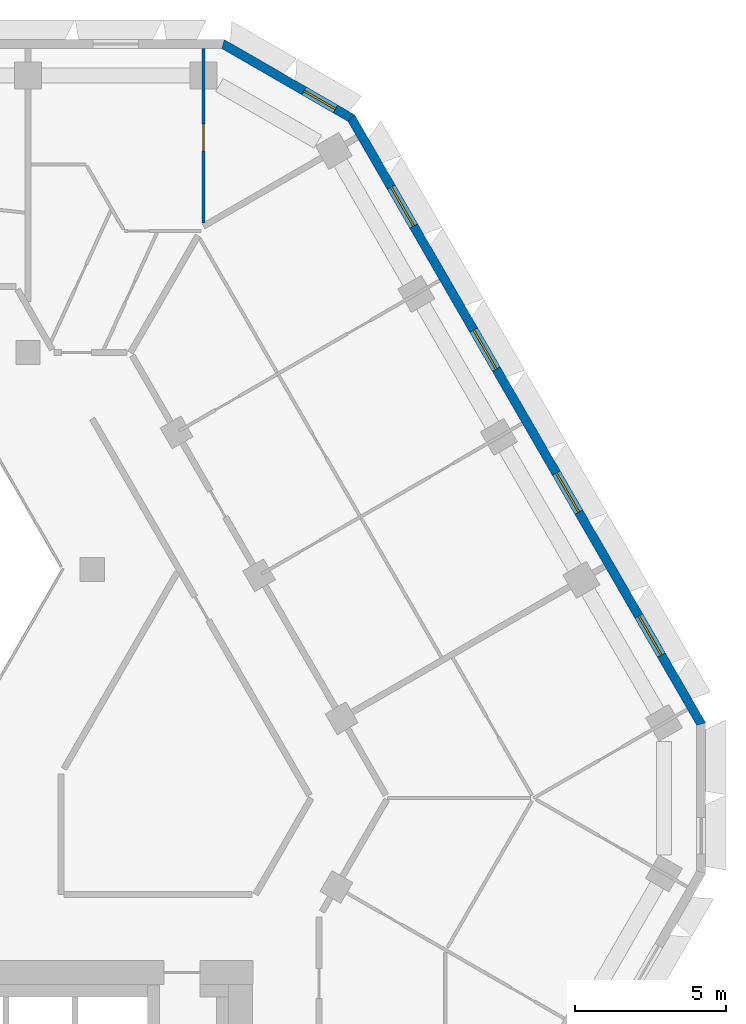
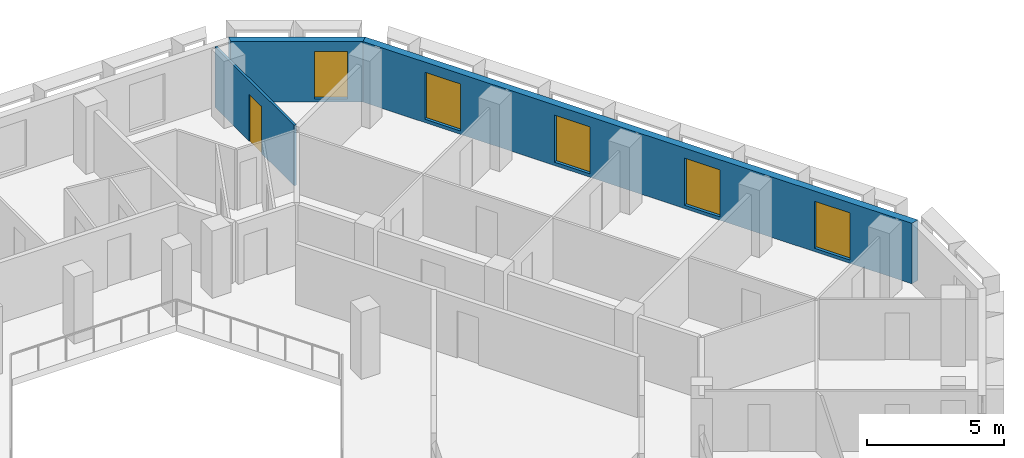
# One storey, part 9 of 15: 5 windows, 3 walls, 1 door, 6 openings.
"""IFC4 building model written with IfcOpenShell, lengths in metres."""

import ifcopenshell
import ifcopenshell.guid

model = None  # the IFC model being written
_history = None  # IfcOwnerHistory: only IFC2X3 demands one
_inside = {}  # id of a spatial element -> (the spatial element, [elements in it])
_under = {}  # id of a project, library or spatial element -> (it, [spatial elements below it])
_declared = {}  # id of a project -> (the project, [libraries it declares])
_typed = {}  # id of a type object -> (the type object, [elements of that type])
_made_of = {}  # id of a material, layer set ... -> (it, [elements and type objects made of it])


def new_model(schema):
    """Start an empty IFC model of exactly this schema.

    Asked for "IFC4X3", IfcOpenShell would pick the latest addendum, in which some entities
    have other attributes; the version numbers below select the first issue.
    IFC2X3 requires an IfcOwnerHistory on every rooted entity: one is made here for all.
    """
    global model, _history
    if schema == "IFC4X3":
        model = ifcopenshell.file(schema_version=(4, 3, 0, 0))
    else:
        model = ifcopenshell.file(schema=schema)
    _inside.clear()
    _under.clear()
    _declared.clear()
    _typed.clear()
    _made_of.clear()
    _history = None
    if model.schema == "IFC2X3":
        org = make("IfcOrganization", Name="unknown")
        user = make(
            "IfcPersonAndOrganization",
            ThePerson=make("IfcPerson", FamilyName="unknown"),
            TheOrganization=org,
        )
        app = make(
            "IfcApplication",
            ApplicationDeveloper=org,
            Version="unknown",
            ApplicationFullName="unknown",
            ApplicationIdentifier="unknown",
        )
        _history = make(
            "IfcOwnerHistory",
            OwningUser=user,
            OwningApplication=app,
            ChangeAction="ADDED",
            CreationDate=0,
        )
    return model


def make(cls, **values):
    """One entity of the class cls with the attributes given. An attribute that is None is left unset."""
    return model.create_entity(
        cls, **{name: value for name, value in values.items() if value is not None}
    )


def rooted(cls, **values):
    """An entity with a GlobalId (a new one), such as an element, a storey or a relation."""
    return make(cls, GlobalId=ifcopenshell.guid.new(), OwnerHistory=_history, **values)


def si_unit(unit_type, name, prefix=None):
    """IfcSIUnit, for example si_unit("LENGTHUNIT", "METRE", prefix="MILLI")."""
    return make("IfcSIUnit", UnitType=unit_type, Prefix=prefix, Name=name)


def assignment(units):
    """IfcUnitAssignment: the units of a project."""
    return None if units is None else make("IfcUnitAssignment", Units=units)


def point(xyz):
    """IfcCartesianPoint."""
    return None if xyz is None else make("IfcCartesianPoint", Coordinates=xyz)


def direction(xyz):
    """IfcDirection."""
    return None if xyz is None else make("IfcDirection", DirectionRatios=xyz)


def frame(location, z_axis=None, x_axis=None):
    """IfcAxis2Placement3D, a coordinate frame: its origin and axes. An axis left out is left unset."""
    return make(
        "IfcAxis2Placement3D",
        Location=point(location),
        Axis=direction(z_axis),
        RefDirection=direction(x_axis),
    )


def frame_2d(location, x_axis=None):
    """IfcAxis2Placement2D, a coordinate frame in the plane: its origin and x axis."""
    return make(
        "IfcAxis2Placement2D", Location=point(location), RefDirection=direction(x_axis)
    )


def origin():
    """The frame at (0, 0, 0) with its axes left unset."""
    return frame((0.0, 0.0, 0.0))


def place(relative_to, where):
    """IfcLocalPlacement: puts the frame where relative to a parent placement (None: the world)."""
    return make(
        "IfcLocalPlacement", PlacementRelTo=relative_to, RelativePlacement=where
    )


def context(
    kind, dimensions, precision=None, world=None, true_north=None, identifier=None
):
    """IfcGeometricRepresentationContext, for example the 3D "Model" context."""
    return make(
        "IfcGeometricRepresentationContext",
        ContextIdentifier=identifier,
        ContextType=kind,
        CoordinateSpaceDimension=dimensions,
        Precision=precision,
        WorldCoordinateSystem=world,
        TrueNorth=true_north,
    )


def subcontext(parent, identifier, kind, view, scale=None):
    """IfcGeometricRepresentationSubContext, for example "Body" below "Model"."""
    return make(
        "IfcGeometricRepresentationSubContext",
        ContextIdentifier=identifier,
        ContextType=kind,
        ParentContext=parent,
        TargetScale=scale,
        TargetView=view,
    )


def project(units=None, contexts=None):
    """IfcProject with its units and contexts."""
    return rooted(
        "IfcProject",
        Name="project",
        RepresentationContexts=contexts,
        UnitsInContext=assignment(units),
    )


def spatial(cls, under=None, at=None, **own):
    """A site, building, storey or space (cls), placed at a placement, below another one or the project."""
    s = rooted(cls, ObjectPlacement=at, **own)
    if under is not None:
        _under.setdefault(under.id(), (under, []))[1].append(s)
    return s


def polyline(points):
    """IfcPolyline through the points."""
    return make("IfcPolyline", Points=[point(p) for p in points])


def profile(cls, at=None, kind="AREA", **sizes):
    """A parametric profile (cls). Its sizes go by their IFC names, for example OverallWidth=200.0."""
    return make(cls, ProfileType=kind, Position=at, **sizes)


def rectangle(**sizes):
    """IfcRectangleProfileDef."""
    return profile("IfcRectangleProfileDef", **sizes)


def outline(outer, holes=None, kind="AREA"):
    """IfcArbitraryClosedProfileDef: a profile drawn as a closed curve; with holes, ...WithVoids."""
    if holes is None:
        return make("IfcArbitraryClosedProfileDef", ProfileType=kind, OuterCurve=outer)
    return make(
        "IfcArbitraryProfileDefWithVoids",
        ProfileType=kind,
        OuterCurve=outer,
        InnerCurves=holes,
    )


def extrude(swept, where, along, depth):
    """IfcExtrudedAreaSolid: the profile swept, set in the frame where, extruded along a direction by depth."""
    return make(
        "IfcExtrudedAreaSolid",
        SweptArea=swept,
        Position=where,
        ExtrudedDirection=direction(along),
        Depth=depth,
    )


def shape(context_of_items, identifier, shape_type, items):
    """IfcShapeRepresentation: the items that make up one representation, for example the "Body"."""
    return make(
        "IfcShapeRepresentation",
        ContextOfItems=context_of_items,
        RepresentationIdentifier=identifier,
        RepresentationType=shape_type,
        Items=items,
    )


def material(Name=None, Category=None):
    """IfcMaterial."""
    return make("IfcMaterial", Name=Name, Category=Category)


def layer(
    of_material, thickness, ventilated=None, Name=None, Category=None, Priority=None
):
    """IfcMaterialLayer: one layer of a wall or slab, of a material (None: an air gap)."""
    return make(
        "IfcMaterialLayer",
        Material=of_material,
        LayerThickness=thickness,
        IsVentilated=ventilated,
        Name=Name,
        Category=Category,
        Priority=Priority,
    )


def layer_set(layers, Name=None):
    """IfcMaterialLayerSet."""
    return make("IfcMaterialLayerSet", MaterialLayers=layers, LayerSetName=Name)


def made_of(thing, what):
    """Note that an element or type object is made of a material, layer set ...; save() writes the relation."""
    if what is not None:
        _made_of.setdefault(what.id(), (what, []))[1].append(thing)
    return thing


def type_object(cls, material=None, **own):
    """A type object (cls), such as IfcWallType, which elements share."""
    return made_of(rooted(cls, **own), material)


def element(
    cls,
    number,
    at=None,
    inside=None,
    cuts=None,
    type_object=None,
    material=None,
    context=None,
    identifier="Body",
    shape_type=None,
    held_by="IfcProductDefinitionShape",
    body=None,
    shapes=None,
    **own,
):
    """One element of the class cls, such as IfcWall. Its Tag is "e" and its number.

    at: its placement. inside: the storey or other place that contains it. cuts: it is an
    opening in that element (IfcRelVoidsElement). A single representation is given by context,
    identifier, shape_type and body (its items); several are given by shapes. held_by: the class
    of the entity that holds the representations. save() writes the other relations.
    """
    e = rooted(cls, Tag="e%d" % number, ObjectPlacement=at, **own)
    if body is not None:
        shapes = [shape(context, identifier, shape_type, body)]
    if shapes is not None:
        e.Representation = make(held_by, Representations=shapes)
    if inside is not None:
        _inside.setdefault(inside.id(), (inside, []))[1].append(e)
    if cuts is not None:
        rooted(
            "IfcRelVoidsElement", RelatingBuildingElement=cuts, RelatedOpeningElement=e
        )
    if type_object is not None:
        _typed.setdefault(type_object.id(), (type_object, []))[1].append(e)
    return made_of(e, material)


def fill(opening, filler):
    """IfcRelFillsElement: the door or window that sits in an opening."""
    return rooted(
        "IfcRelFillsElement",
        RelatingOpeningElement=opening,
        RelatedBuildingElement=filler,
    )


def aggregate(whole, parts):
    """IfcRelAggregates: a whole, such as a stair, and the parts it consists of."""
    return rooted("IfcRelAggregates", RelatingObject=whole, RelatedObjects=parts)


def save(model, path):
    """Write the relations noted so far, then the file.

    IfcRelAggregates (storeys below a building ...), IfcRelContainedInSpatialStructure (elements
    in a storey), IfcRelDefinesByType, IfcRelAssociatesMaterial and IfcRelDeclares: one each for
    every whole, place, type object, material and project.
    """
    for whole, parts in _under.values():
        aggregate(whole, parts)
    for where, things in _inside.values():
        rooted(
            "IfcRelContainedInSpatialStructure",
            RelatedElements=things,
            RelatingStructure=where,
        )
    for kind, things in _typed.values():
        rooted("IfcRelDefinesByType", RelatedObjects=things, RelatingType=kind)
    for what, things in _made_of.values():
        rooted("IfcRelAssociatesMaterial", RelatedObjects=things, RelatingMaterial=what)
    for by, libraries in _declared.values():
        rooted("IfcRelDeclares", RelatingContext=by, RelatedDefinitions=libraries)
    model.write(path)


model = new_model("IFC4")

# Units and contexts
model_context = context("Model", 3, precision=1e-05, world=origin(), true_north=direction((0.0, 1.0)))
body_context = subcontext(model_context, "Body", "Model", "MODEL_VIEW")
ifc_project = project(units=[si_unit("LENGTHUNIT", "METRE"), si_unit("AREAUNIT", "SQUARE_METRE"), si_unit("VOLUMEUNIT", "CUBIC_METRE"), si_unit("PLANEANGLEUNIT", "RADIAN"), si_unit("MASSUNIT", "GRAM", prefix="KILO")], contexts=[model_context])

# Site, building, storey
site_placement = place(None, origin())
site = spatial("IfcSite", under=ifc_project, at=site_placement, CompositionType="ELEMENT")
building_placement = place(site_placement, origin())
building = spatial("IfcBuilding", under=site, at=building_placement, Name="Beryl Residences", CompositionType="ELEMENT")
storey_placement = place(building_placement, frame((0.0, 0.0, 123.60009765625)))
storey = spatial("IfcBuildingStorey", under=building, at=storey_placement, Name="L37", CompositionType="ELEMENT", Elevation=123.60009765625)

# Wall, openings, windows
ifc_material_1 = material(Name="Composite metal panel with mineral wool insulation")
ifc_layer_1 = layer(ifc_material_1, 0.300048828125)
ifc_layer_set_1 = layer_set([ifc_layer_1], Name="ES1 pale metal composite panel wall 300 mm")
wall_type_1 = type_object("IfcWallType", Name="ES1 pale metal composite panel wall 300 mm", PredefinedType="SOLIDWALL", material=ifc_layer_set_1)
wall_1_placement = place(storey_placement, frame((28.218017578125, 2.824951171875, 0.0), z_axis=(0.0, 0.0, 1.0), x_axis=(-0.500020536353, 0.866013546791, 0.0)))
wall_1 = element("IfcWall", 1, at=wall_1_placement, inside=storey, type_object=wall_type_1, Name="ES1 external wall L37 NE", PredefinedType="SOLIDWALL", context=body_context, shape_type="SweptSolid", body=[
    extrude(outline(polyline([(0.0, -0.14990234375), (23.3251953125, -0.14990234375), (23.244873046875, 0.14990234375), (0.080322265625, 0.14990234375), (0.0, -0.14990234375)])), origin(), (0.0, 0.0, 1.0), 2.699951171875),
])
opening_1_placement = place(wall_1_placement, frame((2.68505859375, 0.0, 0.14990234375)))
opening_1 = element("IfcOpeningElement", 2, at=opening_1_placement, cuts=wall_1, Name="Opening W1", PredefinedType="OPENING", context=body_context, shape_type="SweptSolid", body=[
    extrude(rectangle(XDim=1.5, YDim=2.10009765625, at=frame_2d((0.75, 1.050048828125))), frame((0.0, 0.159912109375, 0.0), z_axis=(0.0, -1.0, 0.0), x_axis=(1.0, 0.0, 0.0)), (0.0, 0.0, 1.0), 0.320068359375),
])
opening_2_placement = place(wall_1_placement, frame((8.169921875, 0.0, 0.14990234375)))
opening_2 = element("IfcOpeningElement", 3, at=opening_2_placement, cuts=wall_1, Name="Opening W1", PredefinedType="OPENING", context=body_context, shape_type="SweptSolid", body=[
    extrude(rectangle(XDim=1.5, YDim=2.10009765625, at=frame_2d((0.75, 1.050048828125))), frame((0.0, 0.159912109375, 0.0), z_axis=(0.0, -1.0, 0.0), x_axis=(1.0, 0.0, 0.0)), (0.0, 0.0, 1.0), 0.320068359375),
])
opening_3_placement = place(wall_1_placement, frame((13.655029296875, 0.0, 0.14990234375)))
opening_3 = element("IfcOpeningElement", 4, at=opening_3_placement, cuts=wall_1, Name="Opening W1", PredefinedType="OPENING", context=body_context, shape_type="SweptSolid", body=[
    extrude(rectangle(XDim=1.5, YDim=2.10009765625, at=frame_2d((0.75, 1.050048828125))), frame((0.0, 0.159912109375, 0.0), z_axis=(0.0, -1.0, 0.0), x_axis=(1.0, 0.0, 0.0)), (0.0, 0.0, 1.0), 0.320068359375),
])
opening_4_placement = place(wall_1_placement, frame((19.139892578125, 0.0, 0.14990234375)))
opening_4 = element("IfcOpeningElement", 5, at=opening_4_placement, cuts=wall_1, Name="Opening W1", PredefinedType="OPENING", context=body_context, shape_type="SweptSolid", body=[
    extrude(rectangle(XDim=1.5, YDim=2.10009765625, at=frame_2d((0.75, 1.050048828125))), frame((0.0, 0.159912109375, 0.0), z_axis=(0.0, -1.0, 0.0), x_axis=(1.0, 0.0, 0.0)), (0.0, 0.0, 1.0), 0.320068359375),
])
ifc_material_2 = material(Name="Aluminium and clear glass", Category="aluminium")
window_type_1 = type_object("IfcWindowType", Name="W1 cell window 1500 x 2100 mm", PartitioningType="SINGLE_PANEL", PredefinedType="WINDOW", material=ifc_material_2)
window_1_placement = place(opening_1_placement, origin())
window_1 = element("IfcWindow", 6, at=window_1_placement, inside=storey, type_object=window_type_1, Name="W1 window L37 NE 2", OverallHeight=2.10009765625, OverallWidth=1.5, PartitioningType="SINGLE_PANEL", PredefinedType="WINDOW", context=body_context, shape_type="SweptSolid", body=[
    extrude(rectangle(XDim=1.5, YDim=2.10009765625, at=frame_2d((0.75, 1.050048828125))), frame((0.0, 0.030029296875, 0.0), z_axis=(0.0, -1.0, 0.0), x_axis=(1.0, 0.0, 0.0)), (0.0, 0.0, 1.0), 0.06005859375),
])
fill(opening_1, window_1)
window_2_placement = place(opening_2_placement, origin())
window_2 = element("IfcWindow", 7, at=window_2_placement, inside=storey, type_object=window_type_1, Name="W1 window L37 NE 4", OverallHeight=2.10009765625, OverallWidth=1.5, PartitioningType="SINGLE_PANEL", PredefinedType="WINDOW", context=body_context, shape_type="SweptSolid", body=[
    extrude(rectangle(XDim=1.5, YDim=2.10009765625, at=frame_2d((0.75, 1.050048828125))), frame((0.0, 0.030029296875, 0.0), z_axis=(0.0, -1.0, 0.0), x_axis=(1.0, 0.0, 0.0)), (0.0, 0.0, 1.0), 0.06005859375),
])
fill(opening_2, window_2)
window_3_placement = place(opening_3_placement, origin())
window_3 = element("IfcWindow", 8, at=window_3_placement, inside=storey, type_object=window_type_1, Name="W1 window L37 NE 6", OverallHeight=2.10009765625, OverallWidth=1.5, PartitioningType="SINGLE_PANEL", PredefinedType="WINDOW", context=body_context, shape_type="SweptSolid", body=[
    extrude(rectangle(XDim=1.5, YDim=2.10009765625, at=frame_2d((0.75, 1.050048828125))), frame((0.0, 0.030029296875, 0.0), z_axis=(0.0, -1.0, 0.0), x_axis=(1.0, 0.0, 0.0)), (0.0, 0.0, 1.0), 0.06005859375),
])
fill(opening_3, window_3)
window_4_placement = place(opening_4_placement, origin())
window_4 = element("IfcWindow", 9, at=window_4_placement, inside=storey, type_object=window_type_1, Name="W1 window L37 NE 8", OverallHeight=2.10009765625, OverallWidth=1.5, PartitioningType="SINGLE_PANEL", PredefinedType="WINDOW", context=body_context, shape_type="SweptSolid", body=[
    extrude(rectangle(XDim=1.5, YDim=2.10009765625, at=frame_2d((0.75, 1.050048828125))), frame((0.0, 0.030029296875, 0.0), z_axis=(0.0, -1.0, 0.0), x_axis=(1.0, 0.0, 0.0)), (0.0, 0.0, 1.0), 0.06005859375),
])
fill(opening_4, window_4)

# Wall, opening, window
wall_2_placement = place(storey_placement, frame((16.610107421875, 22.969970703125, 0.0), z_axis=(0.0, 0.0, 1.0), x_axis=(-0.866022959057, 0.500004234368, 0.0)))
wall_2 = element("IfcWall", 10, at=wall_2_placement, inside=storey, type_object=wall_type_1, Name="ES1 external wall L37 NE-N", PredefinedType="SOLIDWALL", context=body_context, shape_type="SweptSolid", body=[
    extrude(outline(polyline([(0.0, -0.14990234375), (5.0, -0.14990234375), (4.919677734375, 0.14990234375), (0.080322265625, 0.14990234375), (0.0, -0.14990234375)])), origin(), (0.0, 0.0, 1.0), 2.699951171875),
])
opening_5_placement = place(wall_2_placement, frame((0.64990234375, 0.0, 0.14990234375)))
opening_5 = element("IfcOpeningElement", 11, at=opening_5_placement, cuts=wall_2, Name="Opening W2", PredefinedType="OPENING", context=body_context, shape_type="SweptSolid", body=[
    extrude(rectangle(XDim=1.199951171875, YDim=2.10009765625, at=frame_2d((0.60009765625, 1.050048828125))), frame((0.0, 0.159912109375, 0.0), z_axis=(0.0, -1.0, 0.0), x_axis=(1.0, 0.0, 0.0)), (0.0, 0.0, 1.0), 0.320068359375),
])
ifc_material_3 = material(Name="Aluminium and clear glass", Category="aluminium")
window_type_2 = type_object("IfcWindowType", Name="W2 chamfer window 1200 x 2100 mm", PartitioningType="SINGLE_PANEL", PredefinedType="WINDOW", material=ifc_material_3)
window_5_placement = place(opening_5_placement, origin())
window_5 = element("IfcWindow", 12, at=window_5_placement, inside=storey, type_object=window_type_2, Name="W2 window L37 NE-N 1", OverallHeight=2.10009765625, OverallWidth=1.199951171875, PartitioningType="SINGLE_PANEL", PredefinedType="WINDOW", context=body_context, shape_type="SweptSolid", body=[
    extrude(rectangle(XDim=1.199951171875, YDim=2.10009765625, at=frame_2d((0.60009765625, 1.050048828125))), frame((0.0, 0.030029296875, 0.0), z_axis=(0.0, -1.0, 0.0), x_axis=(1.0, 0.0, 0.0)), (0.0, 0.0, 1.0), 0.06005859375),
])
fill(opening_5, window_5)

# Wall, opening, door
ifc_material_4 = material(Name="Gypsum board partition on steel studs", Category="steel")
ifc_layer_2 = layer(ifc_material_4, 0.10009765625)
ifc_layer_set_2 = layer_set([ifc_layer_2], Name="PT1 partition 100 mm gypsum board on steel studs")
wall_type_2 = type_object("IfcWallType", Name="PT1 partition 100 mm gypsum board on steel studs", PredefinedType="PARTITIONING", material=ifc_layer_set_2)
wall_3_placement = place(storey_placement, frame((11.662109375, 19.513916015625, 0.0), z_axis=(0.0, 0.0, 1.0), x_axis=(0.0, 1.0, 0.0)))
wall_3 = element("IfcWall", 13, at=wall_3_placement, inside=storey, type_object=wall_type_2, Name="Wall PT1 L37 041", PredefinedType="PARTITIONING", context=body_context, shape_type="SweptSolid", body=[
    extrude(rectangle(XDim=5.7861328125, YDim=0.10009765625, at=frame_2d((2.89306640625, 0.0))), origin(), (0.0, 0.0, 1.0), 2.699951171875),
])
opening_6_placement = place(wall_3_placement, frame((2.385009765625, 0.0, 0.0)))
opening_6 = element("IfcOpeningElement", 14, at=opening_6_placement, cuts=wall_3, Name="Opening D1229", PredefinedType="OPENING", context=body_context, shape_type="SweptSolid", body=[
    extrude(rectangle(XDim=0.89990234375, YDim=2.10009765625, at=frame_2d((0.449951171875, 1.050048828125))), frame((0.0, 0.06005859375, 0.0), z_axis=(0.0, -1.0, 0.0), x_axis=(1.0, 0.0, 0.0)), (0.0, 0.0, 1.0), 0.1201171875),
])
ifc_material_5 = material(Name="Timber door leaf", Category="wood")
door_type = type_object("IfcDoorType", Name="D2 room door 900 x 2100 mm", OperationType="SINGLE_SWING_LEFT", PredefinedType="DOOR", material=ifc_material_5)
door_placement = place(opening_6_placement, origin())
door = element("IfcDoor", 15, at=door_placement, inside=storey, type_object=door_type, Name="Door D1229 L37 001", OperationType="SINGLE_SWING_LEFT", OverallHeight=2.10009765625, OverallWidth=0.89990234375, PredefinedType="DOOR", context=body_context, shape_type="SweptSolid", body=[
    extrude(rectangle(XDim=0.89990234375, YDim=2.10009765625, at=frame_2d((0.449951171875, 1.050048828125))), frame((0.0, 0.02490234375, 0.0), z_axis=(0.0, -1.0, 0.0), x_axis=(1.0, 0.0, 0.0)), (0.0, 0.0, 1.0), 0.050048828125),
])
fill(opening_6, door)

save(model, "model.ifc")
